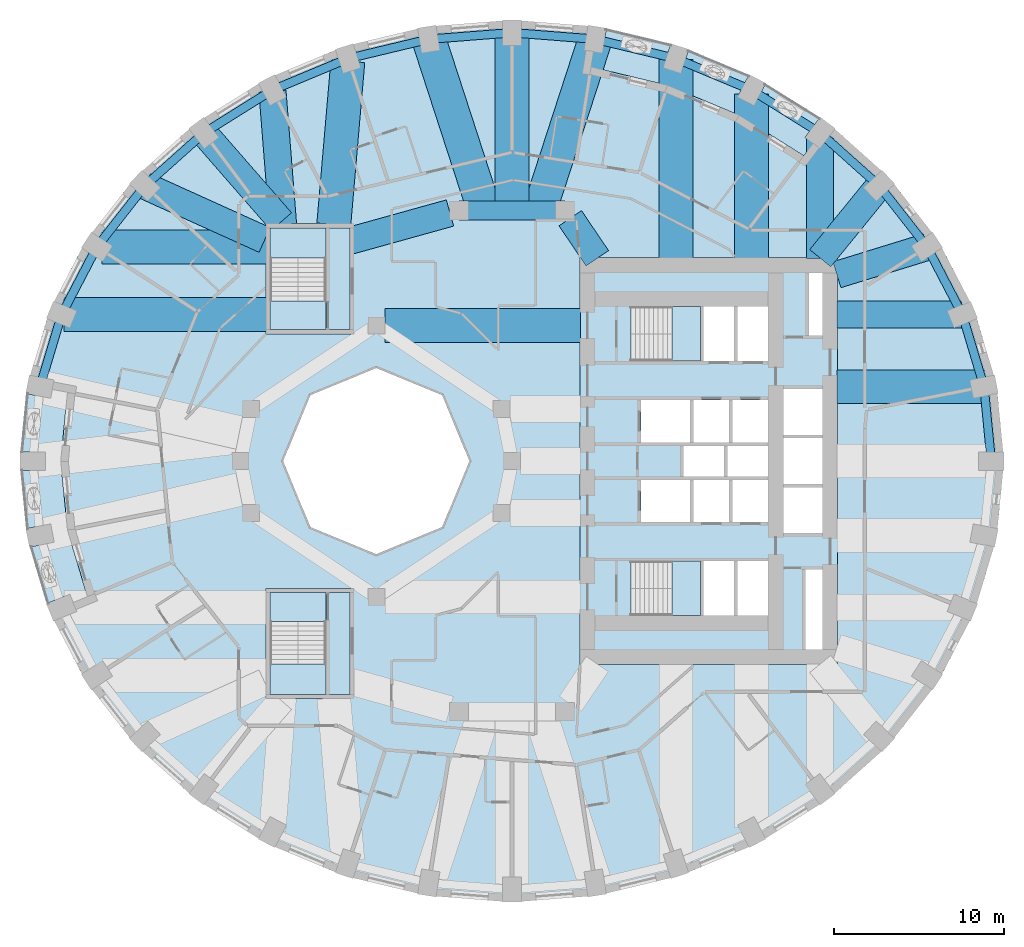
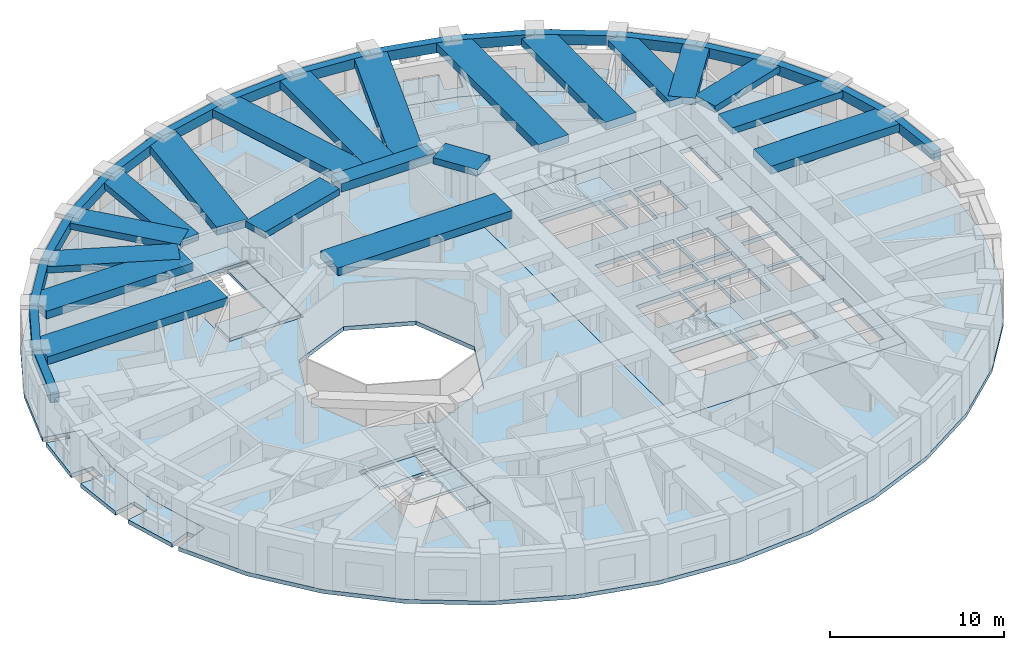
# One storey, part 2 of 13: 37 beams, 12 slabs, 4 elements without a shape of their own.
"""IFC4 building model written with IfcOpenShell, lengths in metres."""

from ifc_helpers import new_model, si_unit, direction, frame, origin, origin_2d, place, context, subcontext, project, spatial, polyline, rectangle, outline, extrude, material, layer, layer_set, material_profile, profile_set, type_object, element, aggregate, save


model = new_model("IFC4")

# Units and contexts
model_context = context("Model", 3, precision=1e-05, world=origin(), true_north=direction((0.0, 1.0)))
body_context = subcontext(model_context, "Body", "Model", "MODEL_VIEW")
ifc_project = project(units=[si_unit("LENGTHUNIT", "METRE"), si_unit("AREAUNIT", "SQUARE_METRE"), si_unit("VOLUMEUNIT", "CUBIC_METRE"), si_unit("PLANEANGLEUNIT", "RADIAN"), si_unit("MASSUNIT", "GRAM", prefix="KILO")], contexts=[model_context])

# Site, building, storey
site_placement = place(None, origin())
site = spatial("IfcSite", under=ifc_project, at=site_placement, CompositionType="ELEMENT")
building_placement = place(site_placement, origin())
building = spatial("IfcBuilding", under=site, at=building_placement, Name="Taillehof Tower", CompositionType="ELEMENT")
storey_placement = place(building_placement, frame((0.0, 0.0, 64.60009765625)))
storey = spatial("IfcBuildingStorey", under=building, at=storey_placement, Name="L17", CompositionType="ELEMENT", Elevation=64.60009765625)

# Beams
ifc_material_1 = material(Name="Concrete C50/60", Category="concrete")
ifc_material_profile_1 = material_profile(ifc_material_1, rectangle(XDim=1.10009765625, YDim=0.60009765625, at=origin_2d()), Name="RC 1100x600")
ifc_profile_set_1 = profile_set([ifc_material_profile_1], Name="Concrete C50/60")
beam_type_1 = type_object("IfcBeamType", Name="Mid-ring beam C50/60 1100x600", PredefinedType="BEAM", material=ifc_profile_set_1)
beam_1_placement = place(storey_placement, frame((3.125732421875, 14.772216796875, 2.719970703125), z_axis=(-1.0, 0.0, 0.0), x_axis=(0.0, -1.0, 0.0)))
element("IfcBeam", 1, at=beam_1_placement, inside=storey, type_object=beam_type_1, Name="Mid-ring beam MB01", PredefinedType="BEAM", context=body_context, shape_type="SweptSolid", body=[
    extrude(rectangle(XDim=1.10009765625, YDim=0.60009765625, at=origin_2d()), origin(), (0.0, 0.0, 1.0), 6.25146484375),
])
ifc_material_2 = material(Name="Concrete C50/60", Category="concrete")
ifc_material_profile_2 = material_profile(ifc_material_2, rectangle(XDim=1.60009765625, YDim=0.449951171875, at=origin_2d()), Name="RC 1600x450")
ifc_profile_set_2 = profile_set([ifc_material_profile_2], Name="Concrete C50/60")
beam_type_2 = type_object("IfcBeamType", Name="Radial band beam C50/60 1600x450", PredefinedType="BEAM", material=ifc_profile_set_2)
beam_2_placement = place(storey_placement, frame((26.490478515625, 8.635986328125, 2.794921875), z_axis=(-1.0, 0.0, 0.0), x_axis=(0.0, -1.0, 0.0)))
element("IfcBeam", 2, at=beam_2_placement, inside=storey, type_object=beam_type_2, Name="Radial band beam RB03", PredefinedType="BEAM", context=body_context, shape_type="SweptSolid", body=[
    extrude(rectangle(XDim=1.60009765625, YDim=0.449951171875, at=origin_2d()), origin(), (0.0, 0.0, 1.0), 7.340576171875),
])
beam_3_placement = place(storey_placement, frame((24.46533203125, 12.625, 2.794921875), z_axis=(-0.955535654338, -0.294875589511, 0.0), x_axis=(0.294875589511, -0.955535654338, 0.0)))
element("IfcBeam", 3, at=beam_3_placement, inside=storey, type_object=beam_type_2, Name="Radial band beam RB04", PredefinedType="BEAM", context=body_context, shape_type="SweptSolid", body=[
    extrude(rectangle(XDim=1.60009765625, YDim=0.449951171875, at=origin_2d()), origin(), (0.0, 0.0, 1.0), 5.560546875),
])
beam_4_placement = place(storey_placement, frame((21.640869140625, 16.23046875, 2.794921875), z_axis=(-0.630988373846, -0.775792286679, 0.0), x_axis=(0.775792286679, -0.630988373846, 0.0)))
element("IfcBeam", 4, at=beam_4_placement, inside=storey, type_object=beam_type_2, Name="Radial band beam RB05", PredefinedType="BEAM", context=body_context, shape_type="SweptSolid", body=[
    extrude(rectangle(XDim=1.60009765625, YDim=0.449951171875, at=origin_2d()), origin(), (0.0, 0.0, 1.0), 5.503173828125),
])
beam_5_placement = place(storey_placement, frame((18.15869140625, 19.05517578125, 2.794921875), z_axis=(0.0, -1.0, 0.0), x_axis=(1.0, 0.0, 0.0)))
element("IfcBeam", 5, at=beam_5_placement, inside=storey, type_object=beam_type_2, Name="Radial band beam RB06", PredefinedType="BEAM", context=body_context, shape_type="SweptSolid", body=[
    extrude(rectangle(XDim=1.60009765625, YDim=0.449951171875, at=origin_2d()), origin(), (0.0, 0.0, 1.0), 7.105224609375),
])
beam_6_placement = place(storey_placement, frame((-14.119873046875, 21.802978515625, 2.794921875), z_axis=(0.079184740988, -0.996859958467, 0.0), x_axis=(0.996859958467, 0.079184740988, 0.0)))
element("IfcBeam", 6, at=beam_6_placement, inside=storey, type_object=beam_type_2, Name="Radial band beam RB13", PredefinedType="BEAM", context=body_context, shape_type="SweptSolid", body=[
    extrude(rectangle(XDim=1.60009765625, YDim=0.449951171875, at=origin_2d()), origin(), (0.0, 0.0, 1.0), 7.87744140625),
])
beam_7_placement = place(storey_placement, frame((-18.15869140625, 19.342529296875, 2.794921875), z_axis=(0.65721824087, -0.753700327628, 0.0), x_axis=(0.753700327628, 0.65721824087, 0.0)))
element("IfcBeam", 7, at=beam_7_placement, inside=storey, type_object=beam_type_2, Name="Radial band beam RB14", PredefinedType="BEAM", context=body_context, shape_type="SweptSolid", body=[
    extrude(rectangle(XDim=1.60009765625, YDim=0.449951171875, at=origin_2d()), origin(), (0.0, 0.0, 1.0), 6.9384765625),
])
beam_8_placement = place(storey_placement, frame((-21.632568359375, 16.226806640625, 2.794921875), z_axis=(0.911100590789, -0.412184077161, 0.0), x_axis=(0.412184077161, 0.911100590789, 0.0)))
element("IfcBeam", 8, at=beam_8_placement, inside=storey, type_object=beam_type_2, Name="Radial band beam RB15", PredefinedType="BEAM", context=body_context, shape_type="SweptSolid", body=[
    extrude(rectangle(XDim=1.60009765625, YDim=0.449951171875, at=origin_2d()), origin(), (0.0, 0.0, 1.0), 7.740966796875),
])
beam_9_placement = place(storey_placement, frame((3.433837890625, 14.31640625, 2.794921875), z_axis=(0.560112043398, -0.828416862962, 0.0), x_axis=(0.828416862962, 0.560112043398, 0.0)))
element("IfcBeam", 9, at=beam_9_placement, inside=storey, type_object=beam_type_2, Name="Inner band beam IB205", PredefinedType="BEAM", context=body_context, shape_type="SweptSolid", body=[
    extrude(rectangle(XDim=1.60009765625, YDim=0.449951171875, at=origin_2d()), origin(), (0.0, 0.0, 1.0), 2.84619140625),
])
beam_10_placement = place(storey_placement, frame((-3.655517578125, 14.624755859375, 2.794921875), z_axis=(-0.963459369536, -0.267854518821, 0.0), x_axis=(0.267854518821, -0.963459369536, 0.0)))
element("IfcBeam", 10, at=beam_10_placement, inside=storey, type_object=beam_type_2, Name="Inner band beam IB206", PredefinedType="BEAM", context=body_context, shape_type="SweptSolid", body=[
    extrude(rectangle(XDim=1.60009765625, YDim=0.449951171875, at=origin_2d()), origin(), (0.0, 0.0, 1.0), 6.096923828125),
])
ifc_material_3 = material(Name="Concrete C50/60", Category="concrete")
ifc_material_profile_3 = material_profile(ifc_material_3, rectangle(XDim=2.0, YDim=0.550048828125, at=origin_2d()), Name="RC 2000x550")
ifc_profile_set_3 = profile_set([ifc_material_profile_3], Name="Concrete C50/60")
beam_type_3 = type_object("IfcBeamType", Name="Radial band beam C50/60 2000x550", PredefinedType="BEAM", material=ifc_profile_set_3)
beam_11_placement = place(storey_placement, frame((27.82080078125, 4.384521484375, 2.744873046875), z_axis=(-1.0, 0.0, 0.0), x_axis=(0.0, -1.0, 0.0)))
element("IfcBeam", 11, at=beam_11_placement, inside=storey, type_object=beam_type_3, Name="Radial band beam RB02", PredefinedType="BEAM", context=body_context, shape_type="SweptSolid", body=[
    extrude(rectangle(XDim=2.0, YDim=0.550048828125, at=origin_2d()), origin(), (0.0, 0.0, 1.0), 8.6708984375),
])
beam_12_placement = place(storey_placement, frame((14.125, 21.63232421875, 2.744873046875), z_axis=(0.0, -1.0, 0.0), x_axis=(1.0, 0.0, 0.0)))
element("IfcBeam", 12, at=beam_12_placement, inside=storey, type_object=beam_type_3, Name="Radial band beam RB07", PredefinedType="BEAM", context=body_context, shape_type="SweptSolid", body=[
    extrude(rectangle(XDim=2.0, YDim=0.550048828125, at=origin_2d()), origin(), (0.0, 0.0, 1.0), 9.682373046875),
])
beam_13_placement = place(storey_placement, frame((9.662109375, 23.664794921875, 2.744873046875), z_axis=(0.0, -1.0, 0.0), x_axis=(1.0, 0.0, 0.0)))
element("IfcBeam", 13, at=beam_13_placement, inside=storey, type_object=beam_type_3, Name="Radial band beam RB08", PredefinedType="BEAM", context=body_context, shape_type="SweptSolid", body=[
    extrude(rectangle(XDim=2.0, YDim=0.550048828125, at=origin_2d()), origin(), (0.0, 0.0, 1.0), 11.71484375),
])
beam_14_placement = place(storey_placement, frame((4.905517578125, 24.866455078125, 2.744873046875), z_axis=(-0.309014294595, -0.951057393503, 0.0), x_axis=(0.951057393503, -0.309014294595, 0.0)))
element("IfcBeam", 14, at=beam_14_placement, inside=storey, type_object=beam_type_3, Name="Radial band beam RB09", PredefinedType="BEAM", context=body_context, shape_type="SweptSolid", body=[
    extrude(rectangle(XDim=2.0, YDim=0.550048828125, at=origin_2d()), origin(), (0.0, 0.0, 1.0), 10.61376953125),
])
beam_15_placement = place(storey_placement, frame((0.0, 25.25, 2.744873046875), z_axis=(0.0, -1.0, 0.0), x_axis=(1.0, 0.0, 0.0)))
element("IfcBeam", 15, at=beam_15_placement, inside=storey, type_object=beam_type_3, Name="Radial band beam RB10", PredefinedType="BEAM", context=body_context, shape_type="SweptSolid", body=[
    extrude(rectangle(XDim=2.0, YDim=0.550048828125, at=origin_2d()), origin(), (0.0, 0.0, 1.0), 10.477783203125),
])
beam_16_placement = place(storey_placement, frame((-4.905517578125, 24.866455078125, 2.744873046875), z_axis=(0.309014294595, -0.951057393503, 0.0), x_axis=(0.951057393503, 0.309014294595, 0.0)))
element("IfcBeam", 16, at=beam_16_placement, inside=storey, type_object=beam_type_3, Name="Radial band beam RB11", PredefinedType="BEAM", context=body_context, shape_type="SweptSolid", body=[
    extrude(rectangle(XDim=2.0, YDim=0.550048828125, at=origin_2d()), origin(), (0.0, 0.0, 1.0), 10.61376953125),
])
beam_17_placement = place(storey_placement, frame((-9.675048828125, 23.575927734375, 2.744873046875), z_axis=(-0.085841202752, -0.996308831593, 0.0), x_axis=(0.996308831593, -0.085841202752, 0.0)))
element("IfcBeam", 17, at=beam_17_placement, inside=storey, type_object=beam_type_3, Name="Radial band beam RB12", PredefinedType="BEAM", context=body_context, shape_type="SweptSolid", body=[
    extrude(rectangle(XDim=2.0, YDim=0.550048828125, at=origin_2d()), origin(), (0.0, 0.0, 1.0), 9.661376953125),
])
beam_18_placement = place(storey_placement, frame((-24.172607421875, 12.625, 2.744873046875), z_axis=(1.0, 0.0, 0.0), x_axis=(0.0, 1.0, 0.0)))
element("IfcBeam", 18, at=beam_18_placement, inside=storey, type_object=beam_type_3, Name="Radial band beam RB16", PredefinedType="BEAM", context=body_context, shape_type="SweptSolid", body=[
    extrude(rectangle(XDim=2.0, YDim=0.550048828125, at=origin_2d()), origin(), (0.0, 0.0, 1.0), 9.72265625),
])
beam_19_placement = place(storey_placement, frame((-26.408935546875, 8.635986328125, 2.744873046875), z_axis=(1.0, 0.0, 0.0), x_axis=(0.0, 1.0, 0.0)))
element("IfcBeam", 19, at=beam_19_placement, inside=storey, type_object=beam_type_3, Name="Radial band beam RB17", PredefinedType="BEAM", context=body_context, shape_type="SweptSolid", body=[
    extrude(rectangle(XDim=2.0, YDim=0.550048828125, at=origin_2d()), origin(), (0.0, 0.0, 1.0), 11.958984375),
])
beam_20_placement = place(storey_placement, frame((-7.5, 8.0, 2.744873046875), z_axis=(1.0, 0.0, 0.0), x_axis=(0.0, 1.0, 0.0)))
element("IfcBeam", 20, at=beam_20_placement, inside=storey, type_object=beam_type_3, Name="Inner band beam IB105", PredefinedType="BEAM", context=body_context, shape_type="SweptSolid", body=[
    extrude(rectangle(XDim=2.0, YDim=0.550048828125, at=origin_2d()), origin(), (0.0, 0.0, 1.0), 11.550048828125),
])
ifc_material_4 = material(Name="Concrete C50/60", Category="concrete")
ifc_material_profile_4 = material_profile(ifc_material_4, rectangle(XDim=0.5, YDim=0.699951171875, at=origin_2d()), Name="RC 500x700")
ifc_profile_set_4 = profile_set([ifc_material_profile_4], Name="Concrete C50/60")
beam_type_4 = type_object("IfcBeamType", Name="Spandrel beam C50/60 500x700", PredefinedType="SPANDREL", material=ifc_profile_set_4)
beam_21_placement = place(storey_placement, frame((28.25, 0.0, 2.669921875), z_axis=(-0.097423973567, 0.99524297002, 0.0), x_axis=(-0.99524297002, -0.097423973567, 0.0)))
element("IfcBeam", 21, at=beam_21_placement, inside=storey, type_object=beam_type_4, Name="Spandrel beam SB01", PredefinedType="SPANDREL", context=body_context, shape_type="SweptSolid", body=[
    extrude(rectangle(XDim=0.5, YDim=0.699951171875, at=origin_2d()), origin(), (0.0, 0.0, 1.0), 4.405517578125),
])
beam_22_placement = place(storey_placement, frame((27.82080078125, 4.384521484375, 2.669921875), z_axis=(-0.287135925407, 0.957889847707, 0.0), x_axis=(-0.957889847707, -0.287135925407, 0.0)))
element("IfcBeam", 22, at=beam_22_placement, inside=storey, type_object=beam_type_4, Name="Spandrel beam SB02", PredefinedType="SPANDREL", context=body_context, shape_type="SweptSolid", body=[
    extrude(rectangle(XDim=0.5, YDim=0.699951171875, at=origin_2d()), origin(), (0.0, 0.0, 1.0), 4.4384765625),
])
beam_23_placement = place(storey_placement, frame((26.54638671875, 8.635986328125, 2.669921875), z_axis=(-0.462536335232, 0.886600326297, 0.0), x_axis=(-0.886600326297, -0.462536335232, 0.0)))
element("IfcBeam", 23, at=beam_23_placement, inside=storey, type_object=beam_type_4, Name="Spandrel beam SB03", PredefinedType="SPANDREL", context=body_context, shape_type="SweptSolid", body=[
    extrude(rectangle(XDim=0.5, YDim=0.699951171875, at=origin_2d()), origin(), (0.0, 0.0, 1.0), 4.499267578125),
])
beam_24_placement = place(storey_placement, frame((24.46533203125, 12.625, 2.669921875), z_axis=(-0.616686200373, 0.787209076593, 0.0), x_axis=(-0.787209076593, -0.616686200373, 0.0)))
element("IfcBeam", 24, at=beam_24_placement, inside=storey, type_object=beam_type_4, Name="Spandrel beam SB04", PredefinedType="SPANDREL", context=body_context, shape_type="SweptSolid", body=[
    extrude(rectangle(XDim=0.5, YDim=0.699951171875, at=origin_2d()), origin(), (0.0, 0.0, 1.0), 4.580078125),
])
beam_25_placement = place(storey_placement, frame((21.640869140625, 16.23046875, 2.669921875), z_axis=(-0.745621283614, 0.666369943366, 0.0), x_axis=(-0.666369943366, -0.745621283614, 0.0)))
element("IfcBeam", 25, at=beam_25_placement, inside=storey, type_object=beam_type_4, Name="Spandrel beam SB05", PredefinedType="SPANDREL", context=body_context, shape_type="SweptSolid", body=[
    extrude(rectangle(XDim=0.5, YDim=0.699951171875, at=origin_2d()), origin(), (0.0, 0.0, 1.0), 4.670166015625),
])
beam_26_placement = place(storey_placement, frame((18.15869140625, 19.342529296875, 2.669921875), z_axis=(-0.847658018883, 0.530543007703, 0.0), x_axis=(-0.530543007703, -0.847658018883, 0.0)))
element("IfcBeam", 26, at=beam_26_placement, inside=storey, type_object=beam_type_4, Name="Spandrel beam SB06", PredefinedType="SPANDREL", context=body_context, shape_type="SweptSolid", body=[
    extrude(rectangle(XDim=0.5, YDim=0.699951171875, at=origin_2d()), origin(), (0.0, 0.0, 1.0), 4.758544921875),
])
beam_27_placement = place(storey_placement, frame((14.125, 21.8671875, 2.669921875), z_axis=(-0.923035088053, 0.384715773297, 0.0), x_axis=(-0.384715773297, -0.923035088053, 0.0)))
element("IfcBeam", 27, at=beam_27_placement, inside=storey, type_object=beam_type_4, Name="Spandrel beam SB07", PredefinedType="SPANDREL", context=body_context, shape_type="SweptSolid", body=[
    extrude(rectangle(XDim=0.5, YDim=0.699951171875, at=origin_2d()), origin(), (0.0, 0.0, 1.0), 4.8349609375),
])
beam_28_placement = place(storey_placement, frame((9.662109375, 23.727294921875, 2.669921875), z_axis=(-0.9724995553, 0.232904733616, 0.0), x_axis=(-0.232904733616, -0.9724995553, 0.0)))
element("IfcBeam", 28, at=beam_28_placement, inside=storey, type_object=beam_type_4, Name="Spandrel beam SB08", PredefinedType="SPANDREL", context=body_context, shape_type="SweptSolid", body=[
    extrude(rectangle(XDim=0.5, YDim=0.699951171875, at=origin_2d()), origin(), (0.0, 0.0, 1.0), 4.89111328125),
])
for number, where, z_axis, x_axis, name in (
    (29, (4.905517578125, 24.866455078125, 2.669921875), (-0.996957383661, 0.077948541767, 0.0), (-0.077948541767, -0.996957383661, 0.0), "Spandrel beam SB09"),
    (30, (0.0, 25.25, 2.669921875), (-0.996957383661, -0.077948541767, 0.0), (0.077948541767, -0.996957383661, 0.0), "Spandrel beam SB10"),
):
    element("IfcBeam", number, at=place(storey_placement, frame(where, z_axis=z_axis, x_axis=x_axis)), inside=storey, type_object=beam_type_4, Name=name, PredefinedType="SPANDREL", context=body_context, shape_type="SweptSolid", body=[
        extrude(rectangle(XDim=0.5, YDim=0.699951171875, at=origin_2d()), origin(), (0.0, 0.0, 1.0), 4.92041015625),
    ])
beam_29_placement = place(storey_placement, frame((-4.905517578125, 24.866455078125, 2.669921875), z_axis=(-0.9724995553, -0.232904733616, 0.0), x_axis=(0.232904733616, -0.9724995553, 0.0)))
element("IfcBeam", 31, at=beam_29_placement, inside=storey, type_object=beam_type_4, Name="Spandrel beam SB11", PredefinedType="SPANDREL", context=body_context, shape_type="SweptSolid", body=[
    extrude(rectangle(XDim=0.5, YDim=0.699951171875, at=origin_2d()), origin(), (0.0, 0.0, 1.0), 4.89111328125),
])
beam_30_placement = place(storey_placement, frame((-9.662109375, 23.727294921875, 2.669921875), z_axis=(-0.923035088053, -0.384715773297, 0.0), x_axis=(0.384715773297, -0.923035088053, 0.0)))
element("IfcBeam", 32, at=beam_30_placement, inside=storey, type_object=beam_type_4, Name="Spandrel beam SB12", PredefinedType="SPANDREL", context=body_context, shape_type="SweptSolid", body=[
    extrude(rectangle(XDim=0.5, YDim=0.699951171875, at=origin_2d()), origin(), (0.0, 0.0, 1.0), 4.8349609375),
])
beam_31_placement = place(storey_placement, frame((-14.125, 21.8671875, 2.669921875), z_axis=(-0.847658018883, -0.530543007703, 0.0), x_axis=(0.530543007703, -0.847658018883, 0.0)))
element("IfcBeam", 33, at=beam_31_placement, inside=storey, type_object=beam_type_4, Name="Spandrel beam SB13", PredefinedType="SPANDREL", context=body_context, shape_type="SweptSolid", body=[
    extrude(rectangle(XDim=0.5, YDim=0.699951171875, at=origin_2d()), origin(), (0.0, 0.0, 1.0), 4.758544921875),
])
beam_32_placement = place(storey_placement, frame((-18.15869140625, 19.342529296875, 2.669921875), z_axis=(-0.745621283614, -0.666369943366, 0.0), x_axis=(0.666369943366, -0.745621283614, 0.0)))
element("IfcBeam", 34, at=beam_32_placement, inside=storey, type_object=beam_type_4, Name="Spandrel beam SB14", PredefinedType="SPANDREL", context=body_context, shape_type="SweptSolid", body=[
    extrude(rectangle(XDim=0.5, YDim=0.699951171875, at=origin_2d()), origin(), (0.0, 0.0, 1.0), 4.670166015625),
])
beam_33_placement = place(storey_placement, frame((-21.640869140625, 16.23046875, 2.669921875), z_axis=(-0.616686200373, -0.787209076593, 0.0), x_axis=(0.787209076593, -0.616686200373, 0.0)))
element("IfcBeam", 35, at=beam_33_placement, inside=storey, type_object=beam_type_4, Name="Spandrel beam SB15", PredefinedType="SPANDREL", context=body_context, shape_type="SweptSolid", body=[
    extrude(rectangle(XDim=0.5, YDim=0.699951171875, at=origin_2d()), origin(), (0.0, 0.0, 1.0), 4.580078125),
])
beam_34_placement = place(storey_placement, frame((-24.46533203125, 12.625, 2.669921875), z_axis=(-0.462536335232, -0.886600326297, 0.0), x_axis=(0.886600326297, -0.462536335232, 0.0)))
element("IfcBeam", 36, at=beam_34_placement, inside=storey, type_object=beam_type_4, Name="Spandrel beam SB16", PredefinedType="SPANDREL", context=body_context, shape_type="SweptSolid", body=[
    extrude(rectangle(XDim=0.5, YDim=0.699951171875, at=origin_2d()), origin(), (0.0, 0.0, 1.0), 4.499267578125),
])
beam_35_placement = place(storey_placement, frame((-26.54638671875, 8.635986328125, 2.669921875), z_axis=(-0.287135925407, -0.957889847707, 0.0), x_axis=(0.957889847707, -0.287135925407, 0.0)))
element("IfcBeam", 37, at=beam_35_placement, inside=storey, type_object=beam_type_4, Name="Spandrel beam SB17", PredefinedType="SPANDREL", context=body_context, shape_type="SweptSolid", body=[
    extrude(rectangle(XDim=0.5, YDim=0.699951171875, at=origin_2d()), origin(), (0.0, 0.0, 1.0), 4.4384765625),
])

# Slabs
ifc_material_5 = material(Name="Concrete C40/50", Category="concrete")
ifc_layer_1 = layer(ifc_material_5, 0.280029296875)
ifc_layer_set_1 = layer_set([ifc_layer_1], Name="Balcony slab 280")
slab_type_1 = type_object("IfcSlabType", Name="Balcony slab 280", PredefinedType="USERDEFINED", material=ifc_layer_set_1)
slab_1_placement = place(storey_placement, frame((0.0, 0.0, -0.280029296875)))
element("IfcSlab", 38, at=slab_1_placement, inside=storey, type_object=slab_type_1, Name="Balcony L17 pocket 5", ObjectType="BALCONY", PredefinedType="USERDEFINED", context=body_context, shape_type="SweptSolid", body=[
    extrude(outline(polyline([(-25.02734375, -7.98974609375), (-25.86181640625, -8.328369140625), (-26.058349609375, -7.84423828125), (-27.4013671875, -8.3896484375), (-28.39697265625, -5.058349609375), (-26.978759765625, -4.779541015625), (-27.191162109375, -3.7001953125), (-28.611572265625, -3.979736328125), (-28.9462890625, -0.550048828125), (-27.5, -0.550048828125), (-27.5, 0.550048828125), (-28.9462890625, 0.550048828125), (-28.611572265625, 3.979736328125), (-27.191162109375, 3.7001953125), (-27.087646484375, 4.225341796875), (-26.20458984375, 4.0517578125), (-26.60009765625, 0.0), (-26.20458984375, -4.0517578125), (-25.02734375, -7.98974609375)])), origin(), (0.0, 0.0, 1.0), 0.280029296875),
])
slab_2_placement = place(storey_placement, frame((0.0, 0.0, -0.280029296875)))
element("IfcSlab", 39, at=slab_2_placement, inside=storey, type_object=slab_type_1, Name="Balcony L17 pocket 1", ObjectType="BALCONY", PredefinedType="USERDEFINED", context=body_context, shape_type="SweptSolid", body=[
    extrude(outline(polyline([(4.6611328125, 23.234375), (4.801513671875, 24.12353515625), (5.331787109375, 24.039794921875), (5.559326171875, 25.479248046875), (9.357421875, 24.56689453125), (8.906494140625, 23.184814453125), (9.9521484375, 22.843505859375), (10.404296875, 24.22900390625), (13.958984375, 22.742919921875), (13.291748046875, 21.453857421875), (14.2685546875, 20.9482421875), (14.938232421875, 22.24169921875), (18.139404296875, 20.23193359375), (17.268310546875, 19.073974609375), (17.73974609375, 18.71923828125), (17.197998046875, 17.999267578125), (13.396728515625, 20.38525390625), (9.174072265625, 22.150390625), (4.6611328125, 23.234375)])), origin(), (0.0, 0.0, 1.0), 0.280029296875),
])
ifc_material_6 = material(Name="Concrete C40/50", Category="concrete")
ifc_layer_2 = layer(ifc_material_6, 0.280029296875)
ifc_layer_set_2 = layer_set([ifc_layer_2], Name="Core floor slab C40/50 280")
slab_type_2 = type_object("IfcSlabType", Name="Core floor slab C40/50 280", PredefinedType="FLOOR", material=ifc_layer_set_2)
slab_3_placement = place(storey_placement, frame((0.0, 0.0, -0.280029296875)))
element("IfcSlab", 40, at=slab_3_placement, inside=storey, type_object=slab_type_2, Name="Core floor L17", PredefinedType="FLOOR", context=body_context, shape_type="SweptSolid", body=[
    extrude(outline(polyline([(4.0, -12.0), (4.0, 12.0), (19.199951171875, 12.0), (19.199951171875, -12.0), (4.0, -12.0)]), holes=[polyline([(7.00048828125, -9.10009765625), (11.10009765625, -9.10009765625), (11.10009765625, -5.89990234375), (7.00048828125, -5.89990234375), (7.00048828125, -9.10009765625)]), polyline([(13.10009765625, -9.10009765625), (13.10009765625, -5.89990234375), (11.300048828125, -5.89990234375), (11.300048828125, -9.10009765625), (13.10009765625, -9.10009765625)]), polyline([(10.5, -3.60009765625), (10.5, -1.10009765625), (7.60009765625, -1.10009765625), (7.60009765625, -3.60009765625), (10.5, -3.60009765625)]), polyline([(12.800048828125, -3.60009765625), (12.800048828125, -1.10009765625), (10.699951171875, -1.10009765625), (10.699951171875, -3.60009765625), (12.800048828125, -3.60009765625)]), polyline([(12.5, -0.89990234375), (12.5, 0.89990234375), (10.10009765625, 0.89990234375), (10.10009765625, -0.89990234375), (12.5, -0.89990234375)]), polyline([(15.10009765625, -0.89990234375), (15.10009765625, 0.89990234375), (12.699951171875, 0.89990234375), (12.699951171875, -0.89990234375), (15.10009765625, -0.89990234375)]), polyline([(10.5, 1.10009765625), (10.5, 3.60009765625), (7.60009765625, 3.60009765625), (7.60009765625, 1.10009765625), (10.5, 1.10009765625)]), polyline([(10.699951171875, 1.10009765625), (12.800048828125, 1.10009765625), (12.800048828125, 3.60009765625), (10.699951171875, 3.60009765625), (10.699951171875, 1.10009765625)]), polyline([(11.300048828125, 5.89990234375), (13.10009765625, 5.89990234375), (13.10009765625, 9.10009765625), (11.300048828125, 9.10009765625), (11.300048828125, 5.89990234375)]), polyline([(11.10009765625, 5.89990234375), (11.10009765625, 9.10009765625), (7.00048828125, 9.10009765625), (7.00048828125, 5.89990234375), (11.10009765625, 5.89990234375)]), polyline([(18.300048828125, -11.10009765625), (18.300048828125, -6.39990234375), (17.300048828125, -6.39990234375), (17.300048828125, -11.10009765625), (18.300048828125, -11.10009765625)]), polyline([(15.10009765625, -9.10009765625), (15.10009765625, -5.89990234375), (13.300048828125, -5.89990234375), (13.300048828125, -9.10009765625), (15.10009765625, -9.10009765625)]), polyline([(16.0, -4.25), (18.300048828125, -4.25), (18.300048828125, -1.550048828125), (16.0, -1.550048828125), (16.0, -4.25)]), polyline([(13.0, -3.60009765625), (15.10009765625, -3.60009765625), (15.10009765625, -1.10009765625), (13.0, -1.10009765625), (13.0, -3.60009765625)]), polyline([(18.300048828125, -1.35009765625), (18.300048828125, 1.35009765625), (16.0, 1.35009765625), (16.0, -1.35009765625), (18.300048828125, -1.35009765625)]), polyline([(15.10009765625, 1.10009765625), (15.10009765625, 3.60009765625), (13.0, 3.60009765625), (13.0, 1.10009765625), (15.10009765625, 1.10009765625)]), polyline([(18.300048828125, 1.550048828125), (18.300048828125, 4.25), (16.0, 4.25), (16.0, 1.550048828125), (18.300048828125, 1.550048828125)]), polyline([(13.300048828125, 5.89990234375), (15.10009765625, 5.89990234375), (15.10009765625, 9.10009765625), (13.300048828125, 9.10009765625), (13.300048828125, 5.89990234375)]), polyline([(17.5, 7.39990234375), (18.300048828125, 7.39990234375), (18.300048828125, 11.10009765625), (17.5, 11.10009765625), (17.5, 7.39990234375)])]), origin(), (0.0, 0.0, 1.0), 0.280029296875),
])
ifc_material_7 = material(Name="Concrete C40/50", Category="concrete")
ifc_layer_3 = layer(ifc_material_7, 0.280029296875)
ifc_layer_set_3 = layer_set([ifc_layer_3], Name="Floor slab 280")
slab_type_3 = type_object("IfcSlabType", Name="Floor slab 280", PredefinedType="FLOOR", material=ifc_layer_set_3)
slab_4_placement = place(storey_placement, frame((0.0, 0.0, -0.280029296875)))
element("IfcSlab", 41, at=slab_4_placement, inside=storey, type_object=slab_type_3, Name="Floor slab L17", PredefinedType="FLOOR", context=body_context, shape_type="SweptSolid", body=[
    extrude(outline(polyline([(29.0, 0.0), (28.559326171875, 4.514892578125), (27.251220703125, 8.892578125), (25.11474609375, 13.0), (22.21533203125, 16.71240234375), (18.640869140625, 19.917236328125), (17.197998046875, 17.999267578125), (13.396728515625, 20.38525390625), (9.174072265625, 22.150390625), (4.660888671875, 23.234375), (5.035888671875, 25.60498046875), (0.0, 26.0), (-5.035888671875, 25.60498046875), (-9.918701171875, 24.431884765625), (-14.5, 22.5166015625), (-18.640869140625, 19.917236328125), (-22.21533203125, 16.71240234375), (-25.11474609375, 13.0), (-27.251220703125, 8.892578125), (-28.559326171875, 4.514892578125), (-26.20458984375, 4.0517578125), (-26.60009765625, 0.0), (-26.20458984375, -4.0517578125), (-25.02734375, -7.98974609375), (-27.251220703125, -8.892578125), (-25.11474609375, -13.0), (-22.21533203125, -16.71240234375), (-18.640869140625, -19.917236328125), (-14.5, -22.5166015625), (-9.918701171875, -24.431884765625), (-5.035888671875, -25.60498046875), (0.0, -26.0), (5.035888671875, -25.60498046875), (9.918701171875, -24.431884765625), (14.5, -22.5166015625), (18.640869140625, -19.917236328125), (22.21533203125, -16.71240234375), (25.11474609375, -13.0), (27.251220703125, -8.892578125), (28.559326171875, -4.514892578125), (29.0, 0.0)]), holes=[polyline([(-14.5, -7.5), (-9.5, -7.5), (-9.5, -14.0), (-14.5, -14.0), (-14.5, -7.5)]), polyline([(-8.0, -5.5), (-11.88916015625, -3.88916015625), (-13.5, 0.0), (-11.88916015625, 3.88916015625), (-8.0, 5.5), (-4.11083984375, 3.88916015625), (-2.5, 0.0), (-4.11083984375, -3.88916015625), (-8.0, -5.5)]), polyline([(19.199951171875, 12.0), (19.199951171875, -12.0), (4.0, -12.0), (4.0, 12.0), (19.199951171875, 12.0)]), polyline([(-14.5, 14.0), (-9.5, 14.0), (-9.5, 7.5), (-14.5, 7.5), (-14.5, 14.0)])]), origin(), (0.0, 0.0, 1.0), 0.280029296875),
])

# Stair, slab
ifc_material_8 = material(Name="Concrete C40/50", Category="concrete")
stair_type = type_object("IfcStairType", Name="Exit stair half-turn", PredefinedType="HALF_TURN_STAIR", material=ifc_material_8)
stair_1_placement = place(storey_placement, origin())
stair_1 = element("IfcStair", 42, at=stair_1_placement, inside=storey, type_object=stair_type, Name="Exit stair S1", PredefinedType="HALF_TURN_STAIR")
ifc_material_9 = material(Name="Concrete C40/50", Category="concrete")
ifc_layer_4 = layer(ifc_material_9, 0.2099609375)
ifc_layer_set_4 = layer_set([ifc_layer_4], Name="Stair landing C40/50 210")
slab_type_4 = type_object("IfcSlabType", Name="Stair landing C40/50 210", PredefinedType="LANDING", material=ifc_layer_set_4)
slab_5_placement = place(storey_placement, frame((0.0, 0.0, 1.43994140625)))
slab_5 = element("IfcSlab", 43, at=slab_5_placement, type_object=slab_type_4, Name="S1 landing 1", PredefinedType="LANDING", context=body_context, shape_type="SweptSolid", body=[
    extrude(outline(polyline([(9.429931640625, 5.89990234375), (11.10009765625, 5.89990234375), (11.10009765625, 9.10009765625), (9.429931640625, 9.10009765625), (9.429931640625, 5.89990234375)])), origin(), (0.0, 0.0, 1.0), 0.2099609375),
])
aggregate(stair_1, [slab_5])

stair_2_placement = place(storey_placement, origin())
stair_2 = element("IfcStair", 44, at=stair_2_placement, inside=storey, type_object=stair_type, Name="Exit stair S2", PredefinedType="HALF_TURN_STAIR")
slab_6_placement = place(storey_placement, frame((0.0, 0.0, 1.43994140625)))
slab_6 = element("IfcSlab", 45, at=slab_6_placement, type_object=slab_type_4, Name="S2 landing 1", PredefinedType="LANDING", context=body_context, shape_type="SweptSolid", body=[
    extrude(outline(polyline([(9.429931640625, -5.89990234375), (11.10009765625, -5.89990234375), (11.10009765625, -9.10009765625), (9.429931640625, -9.10009765625), (9.429931640625, -5.89990234375)])), origin(), (0.0, 0.0, 1.0), 0.2099609375),
])
aggregate(stair_2, [slab_6])

stair_3_placement = place(storey_placement, origin())
stair_3 = element("IfcStair", 46, at=stair_3_placement, inside=storey, type_object=stair_type, Name="Exit stair S3", PredefinedType="HALF_TURN_STAIR")
slab_7_placement = place(storey_placement, frame((0.0, 0.0, 1.43994140625)))
slab_7 = element("IfcSlab", 47, at=slab_7_placement, type_object=slab_type_4, Name="S3 landing 1", PredefinedType="LANDING", context=body_context, shape_type="SweptSolid", body=[
    extrude(outline(polyline([(-14.25, 11.969970703125), (-14.25, 13.75), (-10.949951171875, 13.75), (-10.949951171875, 11.969970703125), (-14.25, 11.969970703125)])), origin(), (0.0, 0.0, 1.0), 0.2099609375),
])
aggregate(stair_3, [slab_7])

stair_4_placement = place(storey_placement, origin())
stair_4 = element("IfcStair", 48, at=stair_4_placement, inside=storey, type_object=stair_type, Name="Exit stair S4", PredefinedType="HALF_TURN_STAIR")
slab_8_placement = place(storey_placement, frame((0.0, 0.0, 1.43994140625)))
slab_8 = element("IfcSlab", 49, at=slab_8_placement, type_object=slab_type_4, Name="S4 landing 1", PredefinedType="LANDING", context=body_context, shape_type="SweptSolid", body=[
    extrude(outline(polyline([(-14.25, -11.969970703125), (-14.25, -13.75), (-10.949951171875, -13.75), (-10.949951171875, -11.969970703125), (-14.25, -11.969970703125)])), origin(), (0.0, 0.0, 1.0), 0.2099609375),
])
aggregate(stair_4, [slab_8])

# Slabs
slab_9_placement = place(storey_placement, frame((0.0, 0.0, -0.210205078125)))
element("IfcSlab", 50, at=slab_9_placement, inside=storey, type_object=slab_type_4, Name="Stair S3 floor landing", PredefinedType="LANDING", context=body_context, shape_type="SweptSolid", body=[
    extrude(outline(polyline([(-14.25, 7.75), (-14.25, 9.449951171875), (-10.949951171875, 9.449951171875), (-10.949951171875, 7.75), (-14.25, 7.75)])), origin(), (0.0, 0.0, 1.0), 0.210205078125),
])
slab_10_placement = place(storey_placement, frame((0.0, 0.0, -0.210205078125)))
element("IfcSlab", 51, at=slab_10_placement, inside=storey, type_object=slab_type_4, Name="Stair lobby S3 floor", PredefinedType="LANDING", context=body_context, shape_type="SweptSolid", body=[
    extrude(outline(polyline([(-10.949951171875, 7.75), (-9.550048828125, 7.75), (-9.550048828125, 13.75), (-10.949951171875, 13.75), (-10.949951171875, 7.75)])), origin(), (0.0, 0.0, 1.0), 0.210205078125),
])
slab_11_placement = place(storey_placement, frame((0.0, 0.0, -0.210205078125)))
element("IfcSlab", 52, at=slab_11_placement, inside=storey, type_object=slab_type_4, Name="Stair S4 floor landing", PredefinedType="LANDING", context=body_context, shape_type="SweptSolid", body=[
    extrude(outline(polyline([(-14.25, -7.75), (-14.25, -9.449951171875), (-10.949951171875, -9.449951171875), (-10.949951171875, -7.75), (-14.25, -7.75)])), origin(), (0.0, 0.0, 1.0), 0.210205078125),
])
slab_12_placement = place(storey_placement, frame((0.0, 0.0, -0.210205078125)))
element("IfcSlab", 53, at=slab_12_placement, inside=storey, type_object=slab_type_4, Name="Stair lobby S4 floor", PredefinedType="LANDING", context=body_context, shape_type="SweptSolid", body=[
    extrude(outline(polyline([(-10.949951171875, -13.75), (-9.550048828125, -13.75), (-9.550048828125, -7.75), (-10.949951171875, -7.75), (-10.949951171875, -13.75)])), origin(), (0.0, 0.0, 1.0), 0.210205078125),
])

save(model, "model.ifc")
